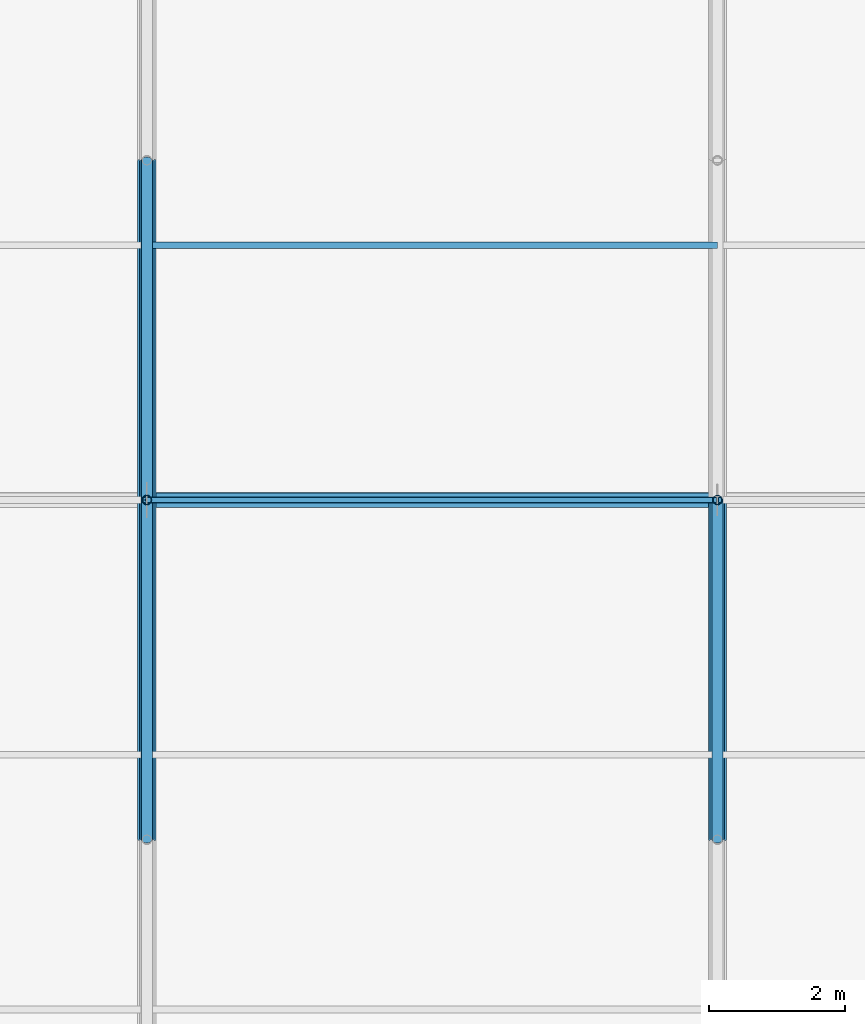
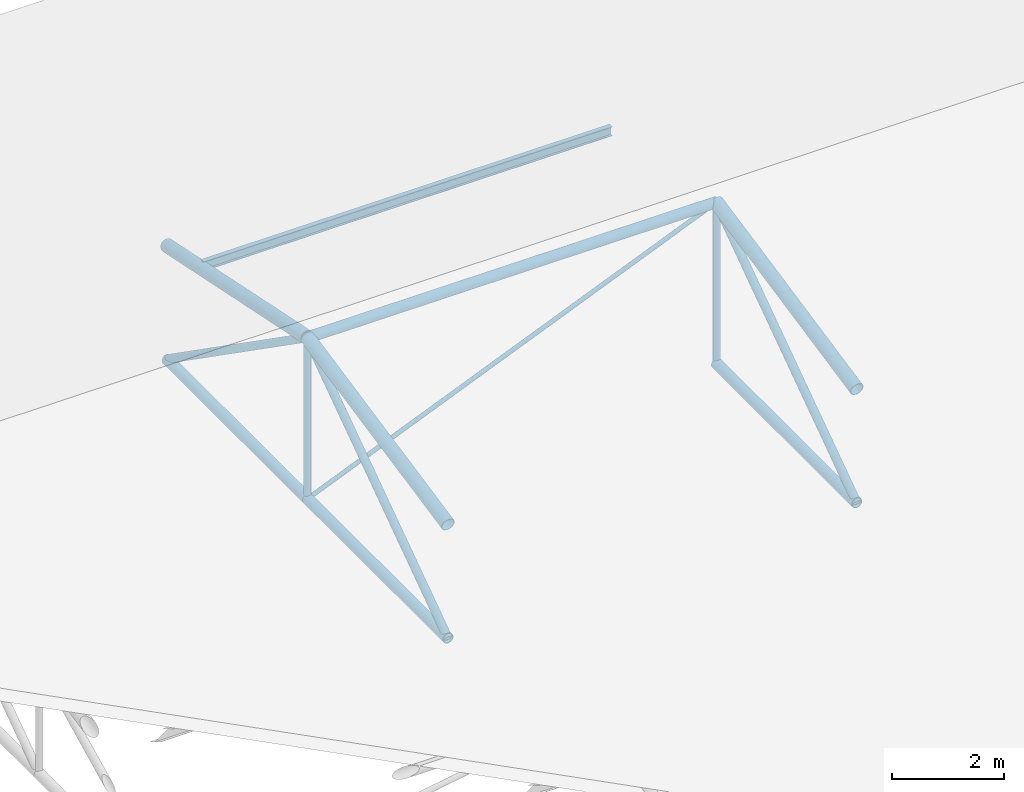
# One storey, part 105 of 194: 13 members, 1 beam.
"""IFC4 building model written with IfcOpenShell, lengths in metres."""

from ifc_helpers import new_model, si_unit, direction, frame, origin, origin_2d, place, context, subcontext, project, spatial, hollow_circle, i_section, extrude, material, material_profile, profile_set, type_object, element, save


model = new_model("IFC4")

# Units and contexts
model_context = context("Model", 3, precision=1e-05, world=origin(), true_north=direction((0.0, 1.0)))
body_context = subcontext(model_context, "Body", "Model", "MODEL_VIEW")
ifc_project = project(units=[si_unit("LENGTHUNIT", "METRE"), si_unit("AREAUNIT", "SQUARE_METRE"), si_unit("VOLUMEUNIT", "CUBIC_METRE"), si_unit("PLANEANGLEUNIT", "RADIAN"), si_unit("MASSUNIT", "GRAM", prefix="KILO")], contexts=[model_context])

# Site, building, storey
site_placement = place(None, origin())
site = spatial("IfcSite", under=ifc_project, at=site_placement, CompositionType="ELEMENT")
building_placement = place(site_placement, origin())
building = spatial("IfcBuilding", under=site, at=building_placement, Name="Kazenagashi Tramway Depot", CompositionType="ELEMENT")
storey_placement = place(building_placement, frame((0.0, 0.0, 23.7)))
storey = spatial("IfcBuildingStorey", under=building, at=storey_placement, Name="ROOF", CompositionType="ELEMENT", Elevation=23.7)

# Beam
ifc_material_1 = material(Name="Steel SN400B", Category="steel")
ifc_material_profile_1 = material_profile(ifc_material_1, i_section(OverallWidth=0.1, OverallDepth=0.2, WebThickness=0.0055, FlangeThickness=0.008, at=origin_2d()), Name="H-200x100x5.5x8")
ifc_profile_set_1 = profile_set([ifc_material_profile_1], Name="Steel SN400B")
beam_type = type_object("IfcBeamType", Name="PR-01", PredefinedType="USERDEFINED", material=ifc_profile_set_1)
beam_placement = place(storey_placement, frame((162.4, 118.75, -11.305), z_axis=(1.0, 0.0, 0.0), x_axis=(0.0, 1.0, 0.0)))
element("IfcBeam", 1, at=beam_placement, inside=storey, type_object=beam_type, Name="Beam PR-01 BM-2194", ObjectType="PURLIN", PredefinedType="USERDEFINED", context=body_context, shape_type="SweptSolid", body=[
    extrude(i_section(OverallWidth=0.1, OverallDepth=0.2, WebThickness=0.0055, FlangeThickness=0.008, at=origin_2d()), origin(), (0.0, 0.0, 1.0), 8.4),
])

# Members
ifc_material_2 = material(Name="Steel STK490", Category="steel")
ifc_material_profile_2 = material_profile(ifc_material_2, hollow_circle(Radius=0.1337, WallThickness=0.0093, at=origin_2d()), Name="CHS-267.4x9.3")
ifc_profile_set_2 = profile_set([ifc_material_profile_2], Name="Steel STK490")
member_type_1 = type_object("IfcMemberType", Name="TC-01", PredefinedType="CHORD", material=ifc_profile_set_2)
for number, where, z_axis, x_axis, name in (
    (2, (162.4, 110.0, -11.633), (0.0, 0.979317999984, 0.202327098797), (-1.0, 0.0, 0.0), "Tubular Space Frame TC-01 MEM-0892"),
    (3, (162.4, 115.0, -10.6), (0.0, 0.979317999984, -0.202327098797), (-1.0, 0.0, 0.0), "Tubular Space Frame TC-01 MEM-0895"),
    (4, (170.8, 110.0, -11.633), (0.0, 0.979317999984, 0.202327098797), (-1.0, 0.0, 0.0), "Tubular Space Frame TC-01 MEM-0953"),
):
    element("IfcMember", number, at=place(storey_placement, frame(where, z_axis=z_axis, x_axis=x_axis)), inside=storey, type_object=member_type_1, Name=name, PredefinedType="CHORD", context=body_context, shape_type="SweptSolid", body=[
        extrude(hollow_circle(Radius=0.1337, WallThickness=0.0093, at=origin_2d()), origin(), (0.0, 0.0, 1.0), 5.105594),
    ])
ifc_material_profile_3 = material_profile(ifc_material_2, hollow_circle(Radius=0.10815, WallThickness=0.0082, at=origin_2d()), Name="CHS-216.3x8.2")
ifc_profile_set_3 = profile_set([ifc_material_profile_3], Name="Steel STK490")
member_type_2 = type_object("IfcMemberType", Name="TC-02", PredefinedType="CHORD", material=ifc_profile_set_3)
for number, where, z_axis, x_axis, name in (
    (5, (162.4, 110.0, -14.1), (0.0, 1.0, 0.0), (-1.0, 0.0, 0.0), "Tubular Space Frame TC-02 MEM-0893"),
    (6, (162.4, 115.0, -14.1), (0.0, 1.0, 0.0), (-1.0, 0.0, 0.0), "Tubular Space Frame TC-02 MEM-0896"),
):
    element("IfcMember", number, at=place(storey_placement, frame(where, z_axis=z_axis, x_axis=x_axis)), inside=storey, type_object=member_type_2, Name=name, PredefinedType="CHORD", context=body_context, shape_type="SweptSolid", body=[
        extrude(hollow_circle(Radius=0.10815, WallThickness=0.0082, at=origin_2d()), origin(), (0.0, 0.0, 1.0), 5.0),
    ])
member_1_placement = place(storey_placement, frame((162.4, 115.0, -10.6), z_axis=(1.0, 0.0, 0.0), x_axis=(0.0, 1.0, 0.0)))
element("IfcMember", 7, at=member_1_placement, inside=storey, type_object=member_type_2, Name="Tubular Space Frame TC-02 MEM-0912", PredefinedType="CHORD", context=body_context, shape_type="SweptSolid", body=[
    extrude(hollow_circle(Radius=0.10815, WallThickness=0.0082, at=origin_2d()), origin(), (0.0, 0.0, 1.0), 8.4),
])
member_2_placement = place(storey_placement, frame((170.8, 110.0, -14.1), z_axis=(0.0, 1.0, 0.0), x_axis=(-1.0, 0.0, 0.0)))
element("IfcMember", 8, at=member_2_placement, inside=storey, type_object=member_type_2, Name="Tubular Space Frame TC-02 MEM-0954", PredefinedType="CHORD", context=body_context, shape_type="SweptSolid", body=[
    extrude(hollow_circle(Radius=0.10815, WallThickness=0.0082, at=origin_2d()), origin(), (0.0, 0.0, 1.0), 5.0),
])
ifc_material_profile_4 = material_profile(ifc_material_2, hollow_circle(Radius=0.0826, WallThickness=0.0071, at=origin_2d()), Name="CHS-165.2x7.1")
ifc_profile_set_4 = profile_set([ifc_material_profile_4], Name="Steel STK490")
member_type_3 = type_object("IfcMemberType", Name="TS-01", PredefinedType="STRUT", material=ifc_profile_set_4)
for number, where, z_axis, x_axis, name in (
    (9, (162.4, 110.0, -14.1), (0.0, 0.819231920519, 0.573462344363), (-1.0, 0.0, 0.0), "Tubular Space Frame TS-01 MEM-0894"),
    (10, (162.4, 115.0, -10.6), (0.0, 0.819231920519, -0.573462344363), (-1.0, 0.0, 0.0), "Tubular Space Frame TS-01 MEM-0897"),
    (11, (170.8, 110.0, -14.1), (0.0, 0.819231920519, 0.573462344363), (-1.0, 0.0, 0.0), "Tubular Space Frame TS-01 MEM-0955"),
):
    element("IfcMember", number, at=place(storey_placement, frame(where, z_axis=z_axis, x_axis=x_axis)), inside=storey, type_object=member_type_3, Name=name, PredefinedType="STRUT", context=body_context, shape_type="SweptSolid", body=[
        extrude(hollow_circle(Radius=0.0826, WallThickness=0.0071, at=origin_2d()), origin(), (0.0, 0.0, 1.0), 6.103278),
    ])
ifc_material_profile_5 = material_profile(ifc_material_2, hollow_circle(Radius=0.0699, WallThickness=0.0066, at=origin_2d()), Name="CHS-139.8x6.6")
ifc_profile_set_5 = profile_set([ifc_material_profile_5], Name="Steel STK490")
member_type_4 = type_object("IfcMemberType", Name="TS-02", PredefinedType="STRUT", material=ifc_profile_set_5)
for number, where, z_axis, x_axis, name in (
    (12, (162.4, 115.0, -14.1), (0.0, 0.0, 1.0), (1.0, 0.0, 0.0), "Tubular Space Frame TS-02 MEM-0906"),
    (13, (170.8, 115.0, -14.1), (0.0, 0.0, 1.0), (1.0, 0.0, 0.0), "Tubular Space Frame TS-02 MEM-0967"),
):
    element("IfcMember", number, at=place(storey_placement, frame(where, z_axis=z_axis, x_axis=x_axis)), inside=storey, type_object=member_type_4, Name=name, PredefinedType="STRUT", context=body_context, shape_type="SweptSolid", body=[
        extrude(hollow_circle(Radius=0.0699, WallThickness=0.0066, at=origin_2d()), origin(), (0.0, 0.0, 1.0), 3.5),
    ])
ifc_material_3 = material(Name="Steel STK400", Category="steel")
ifc_material_profile_6 = material_profile(ifc_material_3, hollow_circle(Radius=0.04455, WallThickness=0.0042, at=origin_2d()), Name="CHS-89.1x4.2")
ifc_profile_set_6 = profile_set([ifc_material_profile_6], Name="Steel STK400")
member_type_5 = type_object("IfcMemberType", Name="TS-04", PredefinedType="STRUT", material=ifc_profile_set_6)
member_3_placement = place(storey_placement, frame((162.4, 115.0, -14.1), z_axis=(0.923076923077, 0.0, 0.384615384615), x_axis=(0.0, 1.0, 0.0)))
element("IfcMember", 14, at=member_3_placement, inside=storey, type_object=member_type_5, Name="Tubular Space Frame TS-04 MEM-0913", PredefinedType="STRUT", context=body_context, shape_type="SweptSolid", body=[
    extrude(hollow_circle(Radius=0.04455, WallThickness=0.0042, at=origin_2d()), origin(), (0.0, 0.0, 1.0), 9.1),
])

save(model, "model.ifc")
